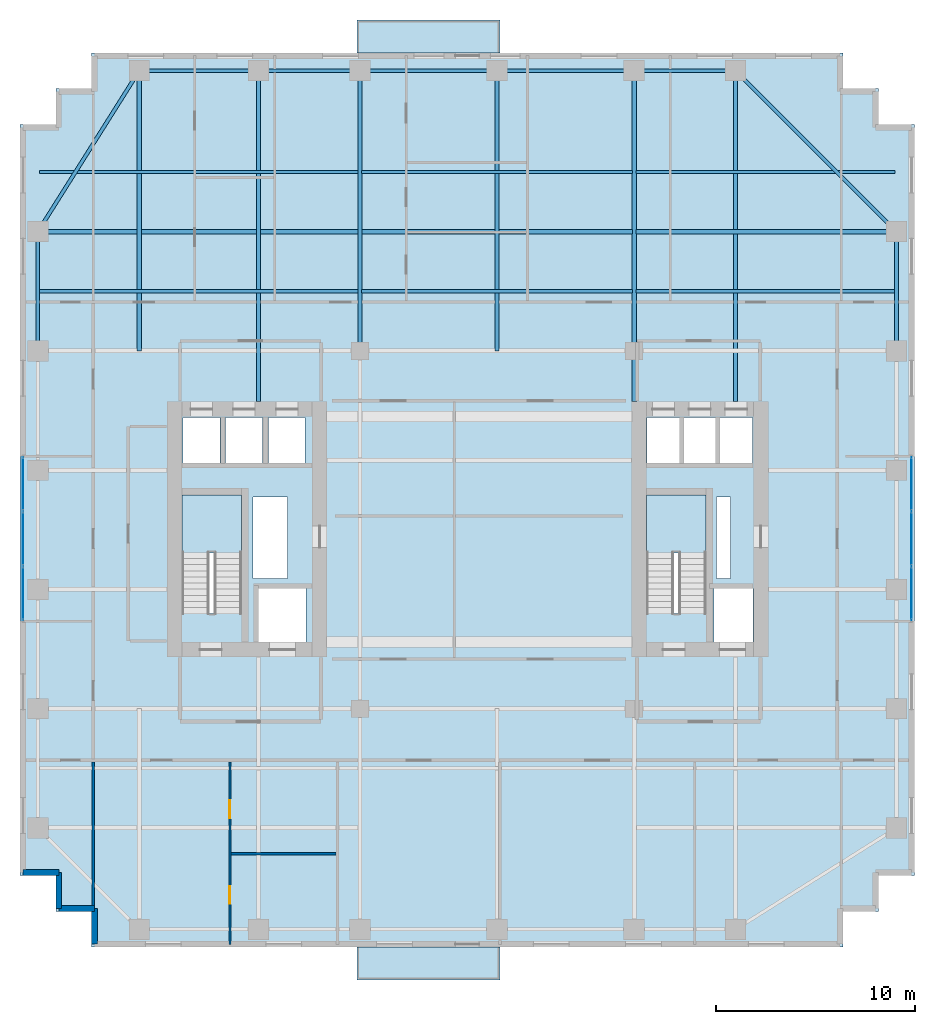
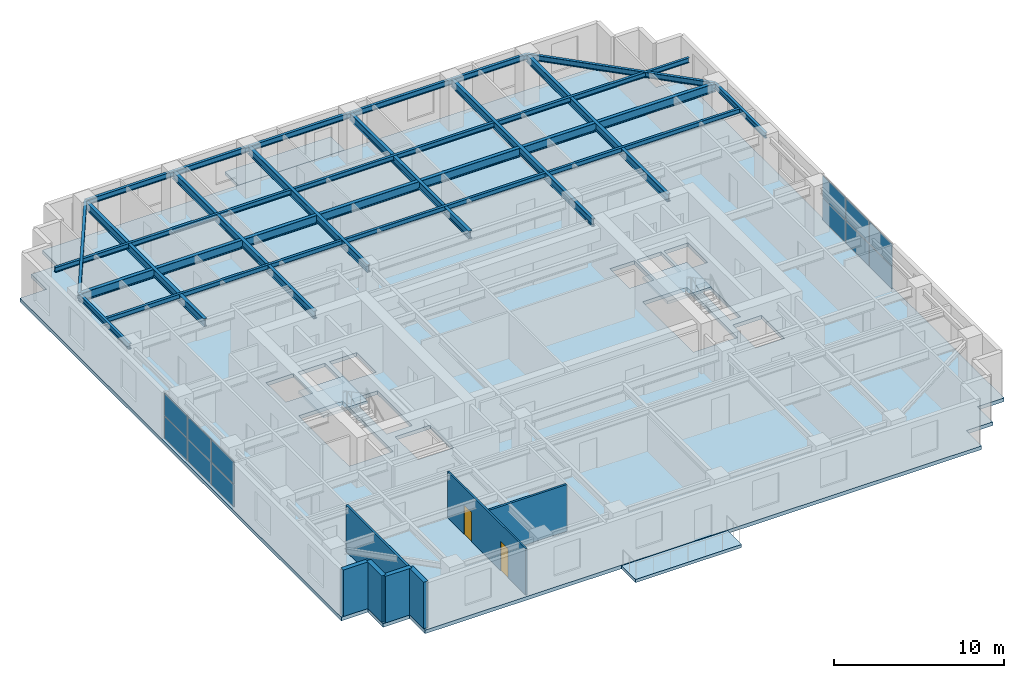
# One storey, part 7 of 14: 24 beams, 12 plates, 7 walls, 5 slabs, 2 doors, 2 openings, 4 elements without a shape of their own.
"""IFC4 building model written with IfcOpenShell, lengths in metres."""

from ifc_helpers import new_model, si_unit, direction, frame, frame_2d, origin, origin_2d, place, context, subcontext, project, spatial, polyline, rectangle, i_section, outline, extrude, source, transform, mapped, material, layer, layer_set, material_profile, profile_set, type_object, element, fill, aggregate, save


model = new_model("IFC4")

# Units and contexts
model_context = context("Model", 3, precision=1e-05, world=origin(), true_north=direction((0.0, 1.0)))
body_context = subcontext(model_context, "Body", "Model", "MODEL_VIEW")
ifc_project = project(units=[si_unit("LENGTHUNIT", "METRE"), si_unit("AREAUNIT", "SQUARE_METRE"), si_unit("VOLUMEUNIT", "CUBIC_METRE"), si_unit("PLANEANGLEUNIT", "RADIAN"), si_unit("MASSUNIT", "GRAM", prefix="KILO")], contexts=[model_context])

# Site, building, storey
site_placement = place(None, origin())
site = spatial("IfcSite", under=ifc_project, at=site_placement, CompositionType="ELEMENT")
building_placement = place(site_placement, origin())
building = spatial("IfcBuilding", under=site, at=building_placement, Name="Khoralis Quay Care Tower", CompositionType="ELEMENT")
storey_placement = place(building_placement, frame((0.0, 0.0, 108.89990234375)))
storey = spatial("IfcBuildingStorey", under=building, at=storey_placement, Name="L28", CompositionType="ELEMENT", Elevation=108.89990234375)

# Beams
ifc_material_1 = material(Name="Steel S355", Category="steel")
ifc_material_profile_1 = material_profile(ifc_material_1, i_section(OverallWidth=0.179931640625, OverallDepth=0.39990234375, WebThickness=0.008544921875, FlangeThickness=0.013427734375, FilletRadius=0.02099609375, at=origin_2d()), Name="Steel S355")
ifc_profile_set_1 = profile_set([ifc_material_profile_1], Name="Steel S355")
beam_type_1 = type_object("IfcBeamType", Name="BM-IPE400", PredefinedType="SPANDREL", material=ifc_profile_set_1)
shared_shape_1 = source(origin(), body_context, "Body", "SweptSolid", [
    extrude(i_section(OverallWidth=0.179931640625, OverallDepth=0.39990234375, WebThickness=0.008544921875, FlangeThickness=0.013427734375, FilletRadius=0.02099609375, at=origin_2d()), origin(), (0.0, 0.0, 1.0), 6.0),
])
for number, where, z_axis, x_axis, name in (
    (1, (6.0, 44.10009765625, 3.14013671875), (1.0, 0.0, 0.0), (0.0, 1.0, 0.0), "BM-TSP-L28-06"),
    (2, (0.89990234375, 30.0, 3.14013671875), (0.0, 1.0, 0.0), (-1.0, 0.0, 0.0), "BM-TSP-L28-15"),
    (3, (44.10009765625, 30.0, 3.14013671875), (0.0, 1.0, 0.0), (-1.0, 0.0, 0.0), "BM-TSP-L28-20"),
):
    element("IfcBeam", number, at=place(storey_placement, frame(where, z_axis=z_axis, x_axis=x_axis)), inside=storey, type_object=beam_type_1, Name=name, PredefinedType="SPANDREL", context=body_context, shape_type="MappedRepresentation", body=[
        mapped(shared_shape_1, transform((0.0, 0.0, 0.0), scale=1.0)),
    ])
shared_shape_2 = source(origin(), body_context, "Body", "SweptSolid", [
    extrude(i_section(OverallWidth=0.179931640625, OverallDepth=0.39990234375, WebThickness=0.008544921875, FlangeThickness=0.013427734375, FilletRadius=0.02099609375, at=origin_2d()), origin(), (0.0, 0.0, 1.0), 5.10009765625),
])
for number, where, z_axis, x_axis, name in (
    (4, (12.0, 44.10009765625, 3.14013671875), (1.0, 0.0, 0.0), (0.0, 1.0, 0.0), "BM-TSP-L28-07"),
    (5, (30.89990234375, 44.10009765625, 3.14013671875), (1.0, 0.0, 0.0), (0.0, 1.0, 0.0), "BM-TSP-L28-10"),
):
    element("IfcBeam", number, at=place(storey_placement, frame(where, z_axis=z_axis, x_axis=x_axis)), inside=storey, type_object=beam_type_1, Name=name, PredefinedType="SPANDREL", context=body_context, shape_type="MappedRepresentation", body=[
        mapped(shared_shape_2, transform((0.0, 0.0, 0.0), scale=1.0)),
    ])
shared_shape_3 = source(origin(), body_context, "Body", "SweptSolid", [
    extrude(i_section(OverallWidth=0.179931640625, OverallDepth=0.39990234375, WebThickness=0.008544921875, FlangeThickness=0.013427734375, FilletRadius=0.02099609375, at=origin_2d()), origin(), (0.0, 0.0, 1.0), 6.89990234375),
])
for number, where, z_axis, x_axis, name in (
    (6, (17.10009765625, 44.10009765625, 3.14013671875), (1.0, 0.0, 0.0), (0.0, 1.0, 0.0), "BM-TSP-L28-08"),
    (7, (24.0, 44.10009765625, 3.14013671875), (1.0, 0.0, 0.0), (0.0, 1.0, 0.0), "BM-TSP-L28-09"),
):
    element("IfcBeam", number, at=place(storey_placement, frame(where, z_axis=z_axis, x_axis=x_axis)), inside=storey, type_object=beam_type_1, Name=name, PredefinedType="SPANDREL", context=body_context, shape_type="MappedRepresentation", body=[
        mapped(shared_shape_3, transform((0.0, 0.0, 0.0), scale=1.0)),
    ])
shared_shape_4 = source(origin(), body_context, "Body", "SweptSolid", [
    extrude(i_section(OverallWidth=0.179931640625, OverallDepth=0.39990234375, WebThickness=0.008544921875, FlangeThickness=0.013427734375, FilletRadius=0.02099609375, at=origin_2d()), origin(), (0.0, 0.0, 1.0), 9.572021484375),
])
beam_1_placement = place(storey_placement, frame((6.0, 44.10009765625, 3.14013671875), z_axis=(-0.532815975602, -0.846231136359, 0.0), x_axis=(0.846231136359, -0.532815975602, 0.0)))
element("IfcBeam", 8, at=beam_1_placement, inside=storey, type_object=beam_type_1, Name="BM-TCR-L28-23", PredefinedType="SPANDREL", context=body_context, shape_type="MappedRepresentation", body=[
    mapped(shared_shape_4, transform((0.0, 0.0, 0.0), scale=1.0)),
])
shared_shape_5 = source(origin(), body_context, "Body", "SweptSolid", [
    extrude(i_section(OverallWidth=0.179931640625, OverallDepth=0.39990234375, WebThickness=0.008544921875, FlangeThickness=0.013427734375, FilletRadius=0.02099609375, at=origin_2d()), origin(), (0.0, 0.0, 1.0), 11.455322265625),
])
beam_2_placement = place(storey_placement, frame((36.0, 44.10009765625, 3.14013671875), z_axis=(0.707106781187, -0.707106781187, 0.0), x_axis=(0.707106781187, 0.707106781187, 0.0)))
element("IfcBeam", 9, at=beam_2_placement, inside=storey, type_object=beam_type_1, Name="BM-TCR-L28-24", PredefinedType="SPANDREL", context=body_context, shape_type="MappedRepresentation", body=[
    mapped(shared_shape_5, transform((0.0, 0.0, 0.0), scale=1.0)),
])
ifc_material_profile_2 = material_profile(ifc_material_1, i_section(OverallWidth=0.22998046875, OverallDepth=0.616943359375, WebThickness=0.01318359375, FlangeThickness=0.022216796875, FilletRadius=0.01806640625, at=origin_2d()), Name="Steel S355")
ifc_profile_set_2 = profile_set([ifc_material_profile_2], Name="Steel S355")
beam_type_2 = type_object("IfcBeamType", Name="BM-W610X140", PredefinedType="BEAM", material=ifc_profile_set_2)
shared_shape_6 = source(origin(), body_context, "Body", "SweptSolid", [
    extrude(i_section(OverallWidth=0.22998046875, OverallDepth=0.616943359375, WebThickness=0.01318359375, FlangeThickness=0.022216796875, FilletRadius=0.01806640625, at=origin_2d()), origin(), (0.0, 0.0, 1.0), 16.106201171875),
])
beam_3_placement = place(storey_placement, frame((0.89990234375, 36.0, 3.031494140625), z_axis=(1.0, 0.0, 0.0), x_axis=(0.0, 1.0, 0.0)))
element("IfcBeam", 10, at=beam_3_placement, inside=storey, type_object=beam_type_2, Name="BM-TGXW-L28-360", PredefinedType="BEAM", context=body_context, shape_type="MappedRepresentation", body=[
    mapped(shared_shape_6, transform((0.0, 0.0, 0.0), scale=1.0)),
])
shared_shape_7 = source(origin(), body_context, "Body", "SweptSolid", [
    extrude(i_section(OverallWidth=0.22998046875, OverallDepth=0.616943359375, WebThickness=0.01318359375, FlangeThickness=0.022216796875, FilletRadius=0.01806640625, at=origin_2d()), origin(), (0.0, 0.0, 1.0), 13.106201171875),
])
beam_4_placement = place(storey_placement, frame((30.993896484375, 36.0, 3.031494140625), z_axis=(1.0, 0.0, 0.0), x_axis=(0.0, 1.0, 0.0)))
element("IfcBeam", 11, at=beam_4_placement, inside=storey, type_object=beam_type_2, Name="BM-TGXE-L28-360", PredefinedType="BEAM", context=body_context, shape_type="MappedRepresentation", body=[
    mapped(shared_shape_7, transform((0.0, 0.0, 0.0), scale=1.0)),
])
shared_shape_8 = source(origin(), body_context, "Body", "SweptSolid", [
    extrude(i_section(OverallWidth=0.22998046875, OverallDepth=0.616943359375, WebThickness=0.01318359375, FlangeThickness=0.022216796875, FilletRadius=0.01806640625, at=origin_2d()), origin(), (0.0, 0.0, 1.0), 13.61181640625),
])
beam_5_placement = place(storey_placement, frame((17.194091796875, 36.0, 3.031494140625), z_axis=(1.0, 0.0, 0.0), x_axis=(0.0, 1.0, 0.0)))
element("IfcBeam", 12, at=beam_5_placement, inside=storey, type_object=beam_type_2, Name="BM-TGCC-L28-360", PredefinedType="BEAM", context=body_context, shape_type="MappedRepresentation", body=[
    mapped(shared_shape_8, transform((0.0, 0.0, 0.0), scale=1.0)),
])
ifc_material_profile_3 = material_profile(ifc_material_1, i_section(OverallWidth=0.2119140625, OverallDepth=0.5439453125, WebThickness=0.01318359375, FlangeThickness=0.021240234375, FilletRadius=0.01611328125, at=origin_2d()), Name="Steel S355")
ifc_profile_set_3 = profile_set([ifc_material_profile_3], Name="Steel S355")
beam_type_3 = type_object("IfcBeamType", Name="BM-W530X123", PredefinedType="BEAM", material=ifc_profile_set_3)
shared_shape_9 = source(origin(), body_context, "Body", "SweptSolid", [
    extrude(i_section(OverallWidth=0.2119140625, OverallDepth=0.5439453125, WebThickness=0.01318359375, FlangeThickness=0.021240234375, FilletRadius=0.01611328125, at=origin_2d()), origin(), (0.0, 0.0, 1.0), 14.10009765625),
])
for number, where, z_axis, x_axis, name in (
    (13, (6.0, 30.0, 3.068115234375), (0.0, 1.0, 0.0), (-1.0, 0.0, 0.0), "BM-TGYN-L28-60"),
    (14, (17.10009765625, 30.0, 3.068115234375), (0.0, 1.0, 0.0), (-1.0, 0.0, 0.0), "BM-TGYN-L28-171"),
    (15, (24.0, 30.0, 3.068115234375), (0.0, 1.0, 0.0), (-1.0, 0.0, 0.0), "BM-TGYN-L28-240"),
):
    element("IfcBeam", number, at=place(storey_placement, frame(where, z_axis=z_axis, x_axis=x_axis)), inside=storey, type_object=beam_type_3, Name=name, PredefinedType="BEAM", context=body_context, shape_type="MappedRepresentation", body=[
        mapped(shared_shape_9, transform((0.0, 0.0, 0.0), scale=1.0)),
    ])
shared_shape_10 = source(origin(), body_context, "Body", "SweptSolid", [
    extrude(i_section(OverallWidth=0.2119140625, OverallDepth=0.5439453125, WebThickness=0.01318359375, FlangeThickness=0.021240234375, FilletRadius=0.01611328125, at=origin_2d()), origin(), (0.0, 0.0, 1.0), 16.652099609375),
])
for number, where, z_axis, x_axis, name in (
    (16, (12.0, 27.447998046875, 3.068115234375), (0.0, 1.0, 0.0), (-1.0, 0.0, 0.0), "BM-TGYN-L28-120"),
    (17, (30.89990234375, 27.447998046875, 3.068115234375), (0.0, 1.0, 0.0), (-1.0, 0.0, 0.0), "BM-TGYN-L28-309"),
    (18, (36.0, 27.447998046875, 3.068115234375), (0.0, 1.0, 0.0), (-1.0, 0.0, 0.0), "BM-TGYN-L28-360"),
):
    element("IfcBeam", number, at=place(storey_placement, frame(where, z_axis=z_axis, x_axis=x_axis)), inside=storey, type_object=beam_type_3, Name=name, PredefinedType="BEAM", context=body_context, shape_type="MappedRepresentation", body=[
        mapped(shared_shape_10, transform((0.0, 0.0, 0.0), scale=1.0)),
    ])
ifc_material_profile_4 = material_profile(ifc_material_1, i_section(OverallWidth=0.1708984375, OverallDepth=0.35498046875, WebThickness=0.007080078125, FlangeThickness=0.01171875, FilletRadius=0.012939453125, at=origin_2d()), Name="Steel S355")
ifc_profile_set_4 = profile_set([ifc_material_profile_4], Name="Steel S355")
beam_type_4 = type_object("IfcBeamType", Name="BM-W360X51", PredefinedType="JOIST", material=ifc_profile_set_4)
shared_shape_11 = source(origin(), body_context, "Body", "SweptSolid", [
    extrude(i_section(OverallWidth=0.1708984375, OverallDepth=0.35498046875, WebThickness=0.007080078125, FlangeThickness=0.01171875, FilletRadius=0.012939453125, at=origin_2d()), origin(), (0.0, 0.0, 1.0), 16.030029296875),
])
for number, where, z_axis, x_axis, name in (
    (19, (0.97607421875, 33.0, 3.16259765625), (1.0, 0.0, 0.0), (0.0, 1.0, 0.0), "BM-TJS-L28-28"),
    (20, (0.97607421875, 39.0, 3.16259765625), (1.0, 0.0, 0.0), (0.0, 1.0, 0.0), "BM-TJS-L28-31"),
):
    element("IfcBeam", number, at=place(storey_placement, frame(where, z_axis=z_axis, x_axis=x_axis)), inside=storey, type_object=beam_type_4, Name=name, PredefinedType="JOIST", context=body_context, shape_type="MappedRepresentation", body=[
        mapped(shared_shape_11, transform((0.0, 0.0, 0.0), scale=1.0)),
    ])
shared_shape_12 = source(origin(), body_context, "Body", "SweptSolid", [
    extrude(i_section(OverallWidth=0.1708984375, OverallDepth=0.35498046875, WebThickness=0.007080078125, FlangeThickness=0.01171875, FilletRadius=0.012939453125, at=origin_2d()), origin(), (0.0, 0.0, 1.0), 13.030029296875),
])
for number, where, z_axis, x_axis, name in (
    (21, (30.993896484375, 33.0, 3.16259765625), (1.0, 0.0, 0.0), (0.0, 1.0, 0.0), "BM-TJS-L28-29"),
    (22, (30.993896484375, 39.0, 3.16259765625), (1.0, 0.0, 0.0), (0.0, 1.0, 0.0), "BM-TJS-L28-32"),
):
    element("IfcBeam", number, at=place(storey_placement, frame(where, z_axis=z_axis, x_axis=x_axis)), inside=storey, type_object=beam_type_4, Name=name, PredefinedType="JOIST", context=body_context, shape_type="MappedRepresentation", body=[
        mapped(shared_shape_12, transform((0.0, 0.0, 0.0), scale=1.0)),
    ])
shared_shape_13 = source(origin(), body_context, "Body", "SweptSolid", [
    extrude(i_section(OverallWidth=0.1708984375, OverallDepth=0.35498046875, WebThickness=0.007080078125, FlangeThickness=0.01171875, FilletRadius=0.012939453125, at=origin_2d()), origin(), (0.0, 0.0, 1.0), 13.61181640625),
])
for number, where, z_axis, x_axis, name in (
    (23, (17.194091796875, 33.0, 3.16259765625), (1.0, 0.0, 0.0), (0.0, 1.0, 0.0), "BM-TJS-L28-30"),
    (24, (17.194091796875, 39.0, 3.16259765625), (1.0, 0.0, 0.0), (0.0, 1.0, 0.0), "BM-TJS-L28-33"),
):
    element("IfcBeam", number, at=place(storey_placement, frame(where, z_axis=z_axis, x_axis=x_axis)), inside=storey, type_object=beam_type_4, Name=name, PredefinedType="JOIST", context=body_context, shape_type="MappedRepresentation", body=[
        mapped(shared_shape_13, transform((0.0, 0.0, 0.0), scale=1.0)),
    ])

# Slabs
ifc_material_2 = material(Name="Concrete C45/55", Category="concrete")
ifc_layer_1 = layer(ifc_material_2, 0.219970703125)
ifc_layer_set_1 = layer_set([ifc_layer_1], Name="Concrete C45/55")
slab_type_1 = type_object("IfcSlabType", Name="SLB-EXT-BALC-220", PredefinedType="FLOOR", material=ifc_layer_set_1)
slab_1_placement = place(storey_placement, frame((0.0, 0.0, -0.260009765625)))
element("IfcSlab", 25, at=slab_1_placement, inside=storey, type_object=slab_type_1, Name="L28 Senior Loggia Balcony Slab P1E0", PredefinedType="FLOOR", context=body_context, shape_type="SweptSolid", body=[
    extrude(outline(polyline([(16.949951171875, -1.64990234375), (24.14990234375, -1.64990234375), (24.14990234375, 0.0), (16.949951171875, 0.0), (16.949951171875, -1.64990234375)])), origin(), (0.0, 0.0, 1.0), 0.22021484375),
])
slab_2_placement = place(storey_placement, frame((0.0, 0.0, -0.260009765625)))
element("IfcSlab", 26, at=slab_2_placement, inside=storey, type_object=slab_type_1, Name="L28 Senior Loggia Balcony Slab P1E10", PredefinedType="FLOOR", context=body_context, shape_type="SweptSolid", body=[
    extrude(outline(polyline([(16.949951171875, 45.0), (24.14990234375, 45.0), (24.14990234375, 46.64990234375), (16.949951171875, 46.64990234375), (16.949951171875, 45.0)])), origin(), (0.0, 0.0, 1.0), 0.22021484375),
])

# Stair, slab
ifc_material_3 = material(Name="Precast concrete C45/55", Category="concrete")
stair_type = type_object("IfcStairType", Name="ST-TWR-DOGLEG-1400", PredefinedType="HALF_TURN_STAIR", material=ifc_material_3)
stair_1_placement = place(storey_placement, origin())
stair_1 = element("IfcStair", 27, at=stair_1_placement, inside=storey, type_object=stair_type, Name="L28 West Core Exit Stair ST-T1", PredefinedType="HALF_TURN_STAIR")
ifc_layer_2 = layer(ifc_material_3, 0.199951171875)
ifc_layer_set_2 = layer_set([ifc_layer_2], Name="Precast concrete C45/55")
slab_type_2 = type_object("IfcSlabType", Name="SLB-LANDING-200", PredefinedType="LANDING", material=ifc_layer_set_2)
slab_3_placement = place(storey_placement, frame((0.0, 0.0, 1.60009765625)))
slab_3 = element("IfcSlab", 28, at=slab_3_placement, type_object=slab_type_2, Name="ST-T1 landing 1", PredefinedType="LANDING", context=body_context, shape_type="SweptSolid", body=[
    extrude(outline(polyline([(11.14990234375, 19.840087890625), (11.14990234375, 22.75), (8.14990234375, 22.75), (8.14990234375, 19.840087890625), (11.14990234375, 19.840087890625)])), origin(), (0.0, 0.0, 1.0), 0.199951171875),
])
aggregate(stair_1, [slab_3])

stair_2_placement = place(storey_placement, origin())
stair_2 = element("IfcStair", 29, at=stair_2_placement, inside=storey, type_object=stair_type, Name="L28 East Core Exit Stair ST-T2", PredefinedType="HALF_TURN_STAIR")
slab_4_placement = place(storey_placement, frame((0.0, 0.0, 1.60009765625)))
slab_4 = element("IfcSlab", 30, at=slab_4_placement, type_object=slab_type_2, Name="ST-T2 landing 1", PredefinedType="LANDING", context=body_context, shape_type="SweptSolid", body=[
    extrude(outline(polyline([(34.52001953125, 19.840087890625), (34.52001953125, 22.75), (31.52001953125, 22.75), (31.52001953125, 19.840087890625), (34.52001953125, 19.840087890625)])), origin(), (0.0, 0.0, 1.0), 0.199951171875),
])
aggregate(stair_2, [slab_4])

# Slab
ifc_material_4 = material(Name="Concrete C40/50", Category="concrete")
ifc_layer_3 = layer(ifc_material_4, 0.260009765625)
ifc_layer_set_3 = layer_set([ifc_layer_3], Name="Concrete C40/50")
slab_type_3 = type_object("IfcSlabType", Name="SLB-TWR-260", PredefinedType="FLOOR", material=ifc_layer_set_3)
slab_5_placement = place(storey_placement, frame((0.0, 0.0, -0.260009765625)))
element("IfcSlab", 31, at=slab_5_placement, inside=storey, type_object=slab_type_3, Name="Tower Floor Slab L28", PredefinedType="FLOOR", context=body_context, shape_type="SweptSolid", body=[
    extrude(outline(polyline([(3.60009765625, 0.0), (41.39990234375, 0.0), (41.39990234375, 1.800048828125), (43.199951171875, 1.800048828125), (43.199951171875, 3.60009765625), (45.0, 3.60009765625), (45.0, 41.39990234375), (43.199951171875, 41.39990234375), (43.199951171875, 43.199951171875), (41.39990234375, 43.199951171875), (41.39990234375, 45.0), (3.60009765625, 45.0), (3.60009765625, 43.199951171875), (1.800048828125, 43.199951171875), (1.800048828125, 41.39990234375), (0.0, 41.39990234375), (0.0, 3.60009765625), (1.800048828125, 3.60009765625), (1.800048828125, 1.800048828125), (3.60009765625, 1.800048828125), (3.60009765625, 0.0)]), holes=[polyline([(11.14990234375, 16.800048828125), (11.14990234375, 22.75), (8.14990234375, 22.75), (8.14990234375, 16.800048828125), (11.14990234375, 16.800048828125)]), polyline([(34.52001953125, 16.800048828125), (34.52001953125, 22.75), (31.52001953125, 22.75), (31.52001953125, 16.800048828125), (34.52001953125, 16.800048828125)]), polyline([(12.0, 15.35009765625), (14.39990234375, 15.35009765625), (14.39990234375, 18.050048828125), (12.0, 18.050048828125), (12.0, 15.35009765625)]), polyline([(34.919921875, 15.35009765625), (36.8798828125, 15.35009765625), (36.8798828125, 18.050048828125), (34.919921875, 18.050048828125), (34.919921875, 15.35009765625)]), polyline([(8.199951171875, 24.35009765625), (10.050048828125, 24.35009765625), (10.050048828125, 26.64990234375), (8.199951171875, 26.64990234375), (8.199951171875, 24.35009765625)]), polyline([(31.550048828125, 24.35009765625), (33.199951171875, 24.35009765625), (33.199951171875, 26.64990234375), (31.550048828125, 26.64990234375), (31.550048828125, 24.35009765625)]), polyline([(10.35009765625, 24.35009765625), (12.199951171875, 24.35009765625), (12.199951171875, 26.64990234375), (10.35009765625, 26.64990234375), (10.35009765625, 24.35009765625)]), polyline([(33.3798828125, 24.35009765625), (35.030029296875, 24.35009765625), (35.030029296875, 26.64990234375), (33.3798828125, 26.64990234375), (33.3798828125, 24.35009765625)]), polyline([(12.5, 24.35009765625), (14.35009765625, 24.35009765625), (14.35009765625, 26.64990234375), (12.5, 26.64990234375), (12.5, 24.35009765625)]), polyline([(35.199951171875, 24.35009765625), (36.85009765625, 24.35009765625), (36.85009765625, 26.64990234375), (35.199951171875, 26.64990234375), (35.199951171875, 24.35009765625)]), polyline([(11.719970703125, 18.550048828125), (13.449951171875, 18.550048828125), (13.449951171875, 22.64990234375), (11.719970703125, 22.64990234375), (11.719970703125, 18.550048828125)]), polyline([(35.050048828125, 18.550048828125), (35.75, 18.550048828125), (35.75, 22.64990234375), (35.050048828125, 22.64990234375), (35.050048828125, 18.550048828125)])]), origin(), (0.0, 0.0, 1.0), 0.260009765625),
])

# Curtain wall, plates
ifc_material_5 = material(Name="Pale anodised aluminium", Category="aluminium")
ifc_layer_4 = layer(ifc_material_5, 0.169921875)
ifc_layer_set_4 = layer_set([ifc_layer_4], Name="Pale anodised aluminium")
curtain_wall_type = type_object("IfcCurtainWallType", Name="CW-SYS-Z2", PredefinedType="NOTDEFINED", material=ifc_layer_set_4)
curtain_wall_1_placement = place(storey_placement, origin())
curtain_wall_1 = element("IfcCurtainWall", 32, at=curtain_wall_1_placement, inside=storey, type_object=curtain_wall_type, Name="L28 Unitised Curtain Wall CW-L28-P1-E5", PredefinedType="NOTDEFINED")
ifc_material_6 = material(Name="Low-E solar-control double glazing", Category="glass")
ifc_layer_5 = layer(ifc_material_6, 0.031982421875)
ifc_layer_set_5 = layer_set([ifc_layer_5], Name="Low-E solar-control double glazing")
plate_type = type_object("IfcPlateType", Name="PNL-VIS-32", PredefinedType="CURTAIN_PANEL", material=ifc_layer_set_5)
shared_shape_14 = source(origin(), body_context, "Body", "SweptSolid", [
    extrude(rectangle(XDim=2.6767578125, YDim=0.028076171875, at=origin_2d()), origin(), (0.0, 0.0, 1.0), 1.580078125),
])
plate_1_placement = place(storey_placement, frame((44.85009765625, 17.79833984375, 0.06005859375), z_axis=(0.0, 0.0, 1.0), x_axis=(0.0, 1.0, 0.0)))
plate_1 = element("IfcPlate", 33, at=plate_1_placement, type_object=plate_type, Name="CW2 panel 1.1", PredefinedType="CURTAIN_PANEL", context=body_context, shape_type="MappedRepresentation", body=[
    mapped(shared_shape_14, transform((0.0, 0.0, 0.0), scale=1.0)),
])
plate_2_placement = place(storey_placement, frame((44.85009765625, 17.79833984375, 1.699951171875), z_axis=(0.0, 0.0, 1.0), x_axis=(0.0, 1.0, 0.0)))
plate_2 = element("IfcPlate", 34, at=plate_2_placement, type_object=plate_type, Name="CW2 panel 1.2", PredefinedType="CURTAIN_PANEL", context=body_context, shape_type="MappedRepresentation", body=[
    mapped(shared_shape_14, transform((0.0, 0.0, 0.0), scale=1.0)),
])
plate_3_placement = place(storey_placement, frame((44.85009765625, 23.3017578125, 0.06005859375), z_axis=(0.0, 0.0, 1.0), x_axis=(0.0, 1.0, 0.0)))
plate_3 = element("IfcPlate", 35, at=plate_3_placement, type_object=plate_type, Name="CW2 panel 3.1", PredefinedType="CURTAIN_PANEL", context=body_context, shape_type="MappedRepresentation", body=[
    mapped(shared_shape_14, transform((0.0, 0.0, 0.0), scale=1.0)),
])
plate_4_placement = place(storey_placement, frame((44.85009765625, 23.3017578125, 1.699951171875), z_axis=(0.0, 0.0, 1.0), x_axis=(0.0, 1.0, 0.0)))
plate_4 = element("IfcPlate", 36, at=plate_4_placement, type_object=plate_type, Name="CW2 panel 3.2", PredefinedType="CURTAIN_PANEL", context=body_context, shape_type="MappedRepresentation", body=[
    mapped(shared_shape_14, transform((0.0, 0.0, 0.0), scale=1.0)),
])

curtain_wall_2_placement = place(storey_placement, origin())
curtain_wall_2 = element("IfcCurtainWall", 37, at=curtain_wall_2_placement, inside=storey, type_object=curtain_wall_type, Name="L28 Unitised Curtain Wall CW-L28-P1-E15", PredefinedType="NOTDEFINED")
plate_5_placement = place(storey_placement, frame((0.14990234375, 23.3017578125, 0.06005859375), z_axis=(0.0, 0.0, 1.0), x_axis=(0.0, -1.0, 0.0)))
plate_5 = element("IfcPlate", 38, at=plate_5_placement, type_object=plate_type, Name="CW2 panel 1.1", PredefinedType="CURTAIN_PANEL", context=body_context, shape_type="MappedRepresentation", body=[
    mapped(shared_shape_14, transform((0.0, 0.0, 0.0), scale=1.0)),
])
plate_6_placement = place(storey_placement, frame((0.14990234375, 23.3017578125, 1.699951171875), z_axis=(0.0, 0.0, 1.0), x_axis=(0.0, -1.0, 0.0)))
plate_6 = element("IfcPlate", 39, at=plate_6_placement, type_object=plate_type, Name="CW2 panel 1.2", PredefinedType="CURTAIN_PANEL", context=body_context, shape_type="MappedRepresentation", body=[
    mapped(shared_shape_14, transform((0.0, 0.0, 0.0), scale=1.0)),
])
plate_7_placement = place(storey_placement, frame((0.14990234375, 17.79833984375, 0.06005859375), z_axis=(0.0, 0.0, 1.0), x_axis=(0.0, -1.0, 0.0)))
plate_7 = element("IfcPlate", 40, at=plate_7_placement, type_object=plate_type, Name="CW2 panel 3.1", PredefinedType="CURTAIN_PANEL", context=body_context, shape_type="MappedRepresentation", body=[
    mapped(shared_shape_14, transform((0.0, 0.0, 0.0), scale=1.0)),
])
plate_8_placement = place(storey_placement, frame((0.14990234375, 17.79833984375, 1.699951171875), z_axis=(0.0, 0.0, 1.0), x_axis=(0.0, -1.0, 0.0)))
plate_8 = element("IfcPlate", 41, at=plate_8_placement, type_object=plate_type, Name="CW2 panel 3.2", PredefinedType="CURTAIN_PANEL", context=body_context, shape_type="MappedRepresentation", body=[
    mapped(shared_shape_14, transform((0.0, 0.0, 0.0), scale=1.0)),
])

# Plate
shared_shape_15 = source(origin(), body_context, "Body", "SweptSolid", [
    extrude(rectangle(XDim=2.706787109375, YDim=0.028076171875, at=origin_2d()), origin(), (0.0, 0.0, 1.0), 1.580078125),
])
plate_9_placement = place(storey_placement, frame((44.85009765625, 20.550048828125, 0.06005859375), z_axis=(0.0, 0.0, 1.0), x_axis=(0.0, 1.0, 0.0)))
plate_9 = element("IfcPlate", 42, at=plate_9_placement, type_object=plate_type, Name="CW2 panel 2.1", PredefinedType="CURTAIN_PANEL", context=body_context, shape_type="MappedRepresentation", body=[
    mapped(shared_shape_15, transform((0.0, 0.0, 0.0), scale=1.0)),
])

plate_10_placement = place(storey_placement, frame((44.85009765625, 20.550048828125, 1.699951171875), z_axis=(0.0, 0.0, 1.0), x_axis=(0.0, 1.0, 0.0)))
plate_10 = element("IfcPlate", 43, at=plate_10_placement, type_object=plate_type, Name="CW2 panel 2.2", PredefinedType="CURTAIN_PANEL", context=body_context, shape_type="MappedRepresentation", body=[
    mapped(shared_shape_15, transform((0.0, 0.0, 0.0), scale=1.0)),
])

aggregate(curtain_wall_1, [plate_1, plate_2, plate_9, plate_10, plate_3, plate_4])

plate_11_placement = place(storey_placement, frame((0.14990234375, 20.550048828125, 0.06005859375), z_axis=(0.0, 0.0, 1.0), x_axis=(0.0, -1.0, 0.0)))
plate_11 = element("IfcPlate", 44, at=plate_11_placement, type_object=plate_type, Name="CW2 panel 2.1", PredefinedType="CURTAIN_PANEL", context=body_context, shape_type="MappedRepresentation", body=[
    mapped(shared_shape_15, transform((0.0, 0.0, 0.0), scale=1.0)),
])

plate_12_placement = place(storey_placement, frame((0.14990234375, 20.550048828125, 1.699951171875), z_axis=(0.0, 0.0, 1.0), x_axis=(0.0, -1.0, 0.0)))
plate_12 = element("IfcPlate", 45, at=plate_12_placement, type_object=plate_type, Name="CW2 panel 2.2", PredefinedType="CURTAIN_PANEL", context=body_context, shape_type="MappedRepresentation", body=[
    mapped(shared_shape_15, transform((0.0, 0.0, 0.0), scale=1.0)),
])

aggregate(curtain_wall_2, [plate_5, plate_6, plate_11, plate_12, plate_7, plate_8])

# Walls
ifc_layer_6 = layer(ifc_material_3, 0.300048828125)
ifc_layer_set_6 = layer_set([ifc_layer_6], Name="Precast concrete C45/55")
wall_type_1 = type_object("IfcWallType", Name="WL-EXT-REF-300", PredefinedType="SOLIDWALL", material=ifc_layer_set_6)
for number, where, z_axis, x_axis, name in (
    (46, (0.14990234375, 3.75, 0.0), (0.0, 0.0, 1.0), (1.0, 0.0, 0.0), "L28 External Facade Wall WL-EXT-L28-P1-C16"),
    (47, (1.949951171875, 3.75, 0.0), (0.0, 0.0, 1.0), (0.0, -1.0, 0.0), "L28 External Facade Wall WL-EXT-L28-P1-C17"),
    (48, (1.949951171875, 1.949951171875, 0.0), (0.0, 0.0, 1.0), (1.0, 0.0, 0.0), "L28 External Facade Wall WL-EXT-L28-P1-C18"),
    (49, (3.75, 1.949951171875, 0.0), (0.0, 0.0, 1.0), (0.0, -1.0, 0.0), "L28 External Facade Wall WL-EXT-L28-P1-C19"),
):
    element("IfcWall", number, at=place(storey_placement, frame(where, z_axis=z_axis, x_axis=x_axis)), inside=storey, type_object=wall_type_1, Name=name, PredefinedType="SOLIDWALL", context=body_context, shape_type="SweptSolid", body=[
        extrude(rectangle(XDim=1.800048828125, YDim=0.300048828125, at=frame_2d((0.89990234375, 0.0))), origin(), (0.0, 0.0, 1.0), 3.340087890625),
    ])

# Wall, openings, doors
ifc_material_7 = material(Name="Gypsum plasterboard on acoustic metal stud")
ifc_layer_7 = layer(ifc_material_7, 0.114990234375)
ifc_layer_set_7 = layer_set([ifc_layer_7], Name="Gypsum plasterboard on acoustic metal stud")
wall_type_2 = type_object("IfcWallType", Name="WL-PART-115", PredefinedType="PARTITIONING", material=ifc_layer_set_7)
wall_1_placement = place(storey_placement, frame((10.56201171875, 0.14501953125, 0.0), z_axis=(0.0, 0.0, 1.0), x_axis=(0.0, 1.0, 0.0)))
wall_1 = element("IfcWall", 50, at=wall_1_placement, inside=storey, type_object=wall_type_2, Name="L28 Studio 0 Internal Wall", PredefinedType="PARTITIONING", context=body_context, shape_type="SweptSolid", body=[
    extrude(rectangle(XDim=9.177490234375, YDim=0.114990234375, at=frame_2d((4.5888671875, 0.0))), origin(), (0.0, 0.0, 1.0), 3.340087890625),
])
opening_1_placement = place(wall_1_placement, frame((2.030029296875, 0.0, 0.0)))
opening_1 = element("IfcOpeningElement", 51, at=opening_1_placement, cuts=wall_1, Name="Opening WD1", PredefinedType="OPENING", context=body_context, shape_type="SweptSolid", body=[
    extrude(rectangle(XDim=0.89990234375, YDim=2.10009765625, at=frame_2d((0.449951171875, 1.050048828125))), frame((0.0, 0.0673828125, 0.0), z_axis=(0.0, -1.0, 0.0), x_axis=(1.0, 0.0, 0.0)), (0.0, 0.0, 1.0), 0.135009765625),
])
opening_2_placement = place(wall_1_placement, frame((6.340087890625, 0.0, 0.0)))
opening_2 = element("IfcOpeningElement", 52, at=opening_2_placement, cuts=wall_1, Name="Opening WD1", PredefinedType="OPENING", context=body_context, shape_type="SweptSolid", body=[
    extrude(rectangle(XDim=0.89990234375, YDim=2.10009765625, at=frame_2d((0.449951171875, 1.050048828125))), frame((0.0, 0.0673828125, 0.0), z_axis=(0.0, -1.0, 0.0), x_axis=(1.0, 0.0, 0.0)), (0.0, 0.0, 1.0), 0.135009765625),
])
ifc_material_8 = material(Name="Acoustic hardwood timber", Category="wood")
door_type = type_object("IfcDoorType", Name="DR-BATH-900X2100", OperationType="NOTDEFINED", PredefinedType="DOOR", material=ifc_material_8)
shared_shape_16 = source(origin(), body_context, "Body", "SweptSolid", [
    extrude(rectangle(XDim=0.89990234375, YDim=2.10009765625, at=frame_2d((0.449951171875, 1.050048828125))), frame((0.0, 0.02490234375, 0.0), z_axis=(0.0, -1.0, 0.0), x_axis=(1.0, 0.0, 0.0)), (0.0, 0.0, 1.0), 0.050048828125),
])
door_1_placement = place(opening_1_placement, frame((0.89990234375, 0.0, 0.0), z_axis=(0.0, 0.0, 1.0), x_axis=(-1.0, 0.0, 0.0)))
door_1 = element("IfcDoor", 53, at=door_1_placement, inside=storey, type_object=door_type, Name="L28 Studio SKT Door", OperationType="SINGLE_SWING_LEFT", OverallHeight=2.10009765625, OverallWidth=0.89990234375, PredefinedType="DOOR", context=body_context, shape_type="MappedRepresentation", body=[
    mapped(shared_shape_16, transform((0.0, 0.0, 0.0), scale=1.0)),
])
fill(opening_1, door_1)
door_2_placement = place(opening_2_placement, frame((0.89990234375, 0.0, 0.0), z_axis=(0.0, 0.0, 1.0), x_axis=(-1.0, 0.0, 0.0)))
door_2 = element("IfcDoor", 54, at=door_2_placement, inside=storey, type_object=door_type, Name="L28 Studio SBH Door", OperationType="SINGLE_SWING_RIGHT", OverallHeight=2.10009765625, OverallWidth=0.89990234375, PredefinedType="DOOR", context=body_context, shape_type="MappedRepresentation", body=[
    mapped(shared_shape_16, transform((0.0, 0.0, 0.0), scale=1.0)),
])
fill(opening_2, door_2)

# Walls
ifc_material_9 = material(Name="Moisture-resistant gypsum and ceramic tile")
ifc_layer_8 = layer(ifc_material_9, 0.280029296875)
ifc_layer_set_8 = layer_set([ifc_layer_8], Name="Moisture-resistant gypsum and ceramic tile")
wall_type_3 = type_object("IfcWallType", Name="WL-PLUMB-280", PredefinedType="PLUMBINGWALL", material=ifc_layer_set_8)
wall_2_placement = place(storey_placement, frame((10.614501953125, 4.699951171875, 0.0), z_axis=(0.0, 0.0, 1.0), x_axis=(1.0, 0.0, 0.0)))
element("IfcWall", 55, at=wall_2_placement, inside=storey, type_object=wall_type_3, Name="L28 Studio 0 Wet Split", PredefinedType="PLUMBINGWALL", context=body_context, shape_type="SweptSolid", body=[
    extrude(rectangle(XDim=5.29052734375, YDim=0.139892578125, at=frame_2d((2.645263671875, 0.0))), origin(), (0.0, 0.0, 1.0), 3.340087890625),
])
ifc_layer_9 = layer(ifc_material_7, 0.139892578125)
ifc_layer_set_9 = layer_set([ifc_layer_9], Name="Gypsum plasterboard on acoustic metal stud")
wall_type_4 = type_object("IfcWallType", Name="WL-UNIT-140", PredefinedType="PARTITIONING", material=ifc_layer_set_9)
wall_3_placement = place(storey_placement, frame((3.679931640625, 1.945068359375, 0.0), z_axis=(0.0, 0.0, 1.0), x_axis=(0.0, 1.0, 0.0)))
element("IfcWall", 56, at=wall_3_placement, inside=storey, type_object=wall_type_4, Name="L28 SB Demising Wall 0", PredefinedType="PARTITIONING", context=body_context, shape_type="SweptSolid", body=[
    extrude(rectangle(XDim=7.37744140625, YDim=0.139892578125, at=frame_2d((3.688720703125, 0.0))), origin(), (0.0, 0.0, 1.0), 3.340087890625),
])

save(model, "model.ifc")
